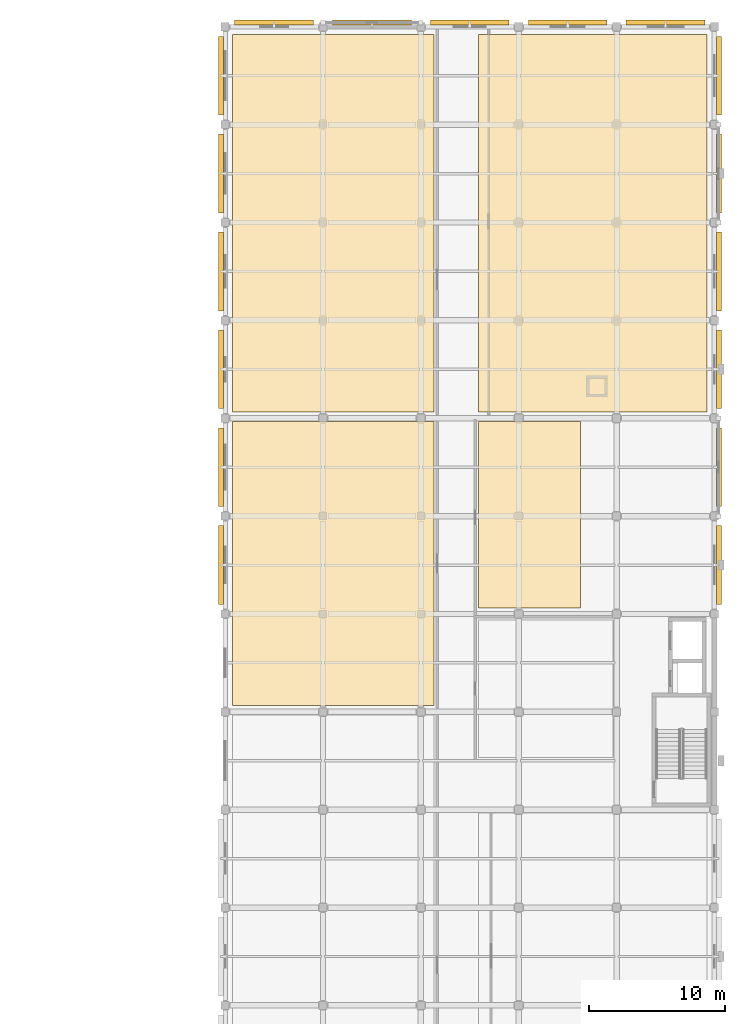
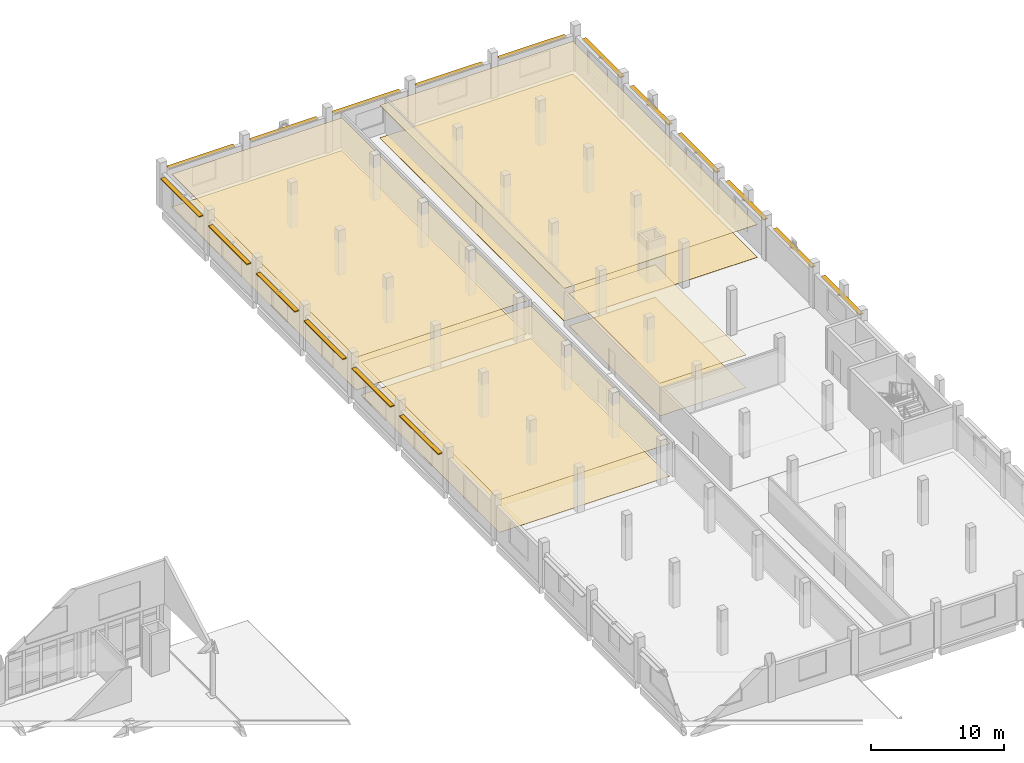
# One storey, part 62 of 62: 17 shading devices, 8 coverings.
"""IFC4 building model written with IfcOpenShell, lengths in metres."""

from ifc_helpers import new_model, si_unit, direction, frame, origin, origin_2d, place, context, subcontext, project, spatial, polyline, rectangle, outline, extrude, material, layer, layer_set, type_object, element, save


model = new_model("IFC4")

# Units and contexts
model_context = context("Model", 3, precision=1e-05, world=origin(), true_north=direction((0.0, 1.0)))
body_context = subcontext(model_context, "Body", "Model", "MODEL_VIEW")
ifc_project = project(units=[si_unit("LENGTHUNIT", "METRE"), si_unit("AREAUNIT", "SQUARE_METRE"), si_unit("VOLUMEUNIT", "CUBIC_METRE"), si_unit("PLANEANGLEUNIT", "RADIAN"), si_unit("MASSUNIT", "GRAM", prefix="KILO")], contexts=[model_context])

# Site, building, storey
site_placement = place(None, origin())
site = spatial("IfcSite", under=ifc_project, at=site_placement, CompositionType="ELEMENT")
building_placement = place(site_placement, origin())
building = spatial("IfcBuilding", under=site, at=building_placement, Name="Valkovuoma Quantum and Materials Research Institute", CompositionType="ELEMENT")
storey_placement = place(building_placement, frame((0.0, 0.0, 13.1201171875)))
storey = spatial("IfcBuildingStorey", under=building, at=storey_placement, Name="L03", CompositionType="ELEMENT", Elevation=13.1201171875)

# Coverings
ifc_material_1 = material(Name="Cleanable acoustic mineral-fibre suspended ceiling", Category="masonry")
ifc_layer_1 = layer(ifc_material_1, 0.02490234375)
ifc_layer_set_1 = layer_set([ifc_layer_1], Name="Cleanable acoustic mineral-fibre suspended ceiling")
covering_type_1 = type_object("IfcCoveringType", Name="Cov-CEIL-01", PredefinedType="CEILING", material=ifc_layer_set_1)
covering_1_placement = place(storey_placement, frame((0.0, 0.0, 3.0)))
element("IfcCovering", 1, at=covering_1_placement, inside=storey, type_object=covering_type_1, Name="L03 acoustic ceiling 0098", PredefinedType="CEILING", context=body_context, shape_type="SweptSolid", body=[
    extrude(outline(polyline([(130.14990234375, 65.25), (144.949951171875, 65.25), (144.949951171875, 86.14990234375), (130.14990234375, 86.14990234375), (130.14990234375, 65.25)])), origin(), (0.0, 0.0, 1.0), 0.02490234375),
])
covering_2_placement = place(storey_placement, frame((0.0, 0.0, 3.0)))
element("IfcCovering", 2, at=covering_2_placement, inside=storey, type_object=covering_type_1, Name="L03 acoustic ceiling 0099", PredefinedType="CEILING", context=body_context, shape_type="SweptSolid", body=[
    extrude(outline(polyline([(130.14990234375, 86.85009765625), (144.949951171875, 86.85009765625), (144.949951171875, 114.64990234375), (130.14990234375, 114.64990234375), (130.14990234375, 86.85009765625)])), origin(), (0.0, 0.0, 1.0), 0.02490234375),
])
covering_3_placement = place(storey_placement, frame((0.0, 0.0, 3.0)))
element("IfcCovering", 3, at=covering_3_placement, inside=storey, type_object=covering_type_1, Name="L03 acoustic ceiling 0102", PredefinedType="CEILING", context=body_context, shape_type="SweptSolid", body=[
    extrude(outline(polyline([(148.25, 72.449951171875), (155.75, 72.449951171875), (155.75, 86.14990234375), (148.25, 86.14990234375), (148.25, 72.449951171875)])), origin(), (0.0, 0.0, 1.0), 0.02490234375),
])
covering_4_placement = place(storey_placement, frame((0.0, 0.0, 3.0)))
element("IfcCovering", 4, at=covering_4_placement, inside=storey, type_object=covering_type_1, Name="L03 acoustic ceiling 0103", PredefinedType="CEILING", context=body_context, shape_type="SweptSolid", body=[
    extrude(outline(polyline([(148.25, 86.85009765625), (165.050048828125, 86.85009765625), (165.050048828125, 114.64990234375), (148.25, 114.64990234375), (148.25, 86.85009765625)])), origin(), (0.0, 0.0, 1.0), 0.02490234375),
])
ifc_material_2 = material(Name="Seamless dissipative laboratory resin flooring", Category="masonry")
ifc_layer_2 = layer(ifc_material_2, 0.014892578125)
ifc_layer_set_2 = layer_set([ifc_layer_2], Name="Seamless dissipative laboratory resin flooring")
covering_type_2 = type_object("IfcCoveringType", Name="Cov-FLOR-01", PredefinedType="FLOORING", material=ifc_layer_set_2)
covering_5_placement = place(storey_placement, origin())
element("IfcCovering", 5, at=covering_5_placement, inside=storey, type_object=covering_type_2, Name="L03 resin flooring 0098", PredefinedType="FLOORING", context=body_context, shape_type="SweptSolid", body=[
    extrude(outline(polyline([(130.14990234375, 65.25), (144.949951171875, 65.25), (144.949951171875, 86.14990234375), (130.14990234375, 86.14990234375), (130.14990234375, 65.25)])), origin(), (0.0, 0.0, 1.0), 0.014892578125),
])
covering_6_placement = place(storey_placement, origin())
element("IfcCovering", 6, at=covering_6_placement, inside=storey, type_object=covering_type_2, Name="L03 resin flooring 0099", PredefinedType="FLOORING", context=body_context, shape_type="SweptSolid", body=[
    extrude(outline(polyline([(130.14990234375, 86.85009765625), (144.949951171875, 86.85009765625), (144.949951171875, 114.64990234375), (130.14990234375, 114.64990234375), (130.14990234375, 86.85009765625)])), origin(), (0.0, 0.0, 1.0), 0.014892578125),
])
covering_7_placement = place(storey_placement, origin())
element("IfcCovering", 7, at=covering_7_placement, inside=storey, type_object=covering_type_2, Name="L03 resin flooring 0102", PredefinedType="FLOORING", context=body_context, shape_type="SweptSolid", body=[
    extrude(outline(polyline([(148.25, 72.449951171875), (155.75, 72.449951171875), (155.75, 86.14990234375), (148.25, 86.14990234375), (148.25, 72.449951171875)])), origin(), (0.0, 0.0, 1.0), 0.014892578125),
])
covering_8_placement = place(storey_placement, origin())
element("IfcCovering", 8, at=covering_8_placement, inside=storey, type_object=covering_type_2, Name="L03 resin flooring 0103", PredefinedType="FLOORING", context=body_context, shape_type="SweptSolid", body=[
    extrude(outline(polyline([(148.25, 86.85009765625), (165.050048828125, 86.85009765625), (165.050048828125, 114.64990234375), (148.25, 114.64990234375), (148.25, 86.85009765625)])), origin(), (0.0, 0.0, 1.0), 0.014892578125),
])

# Shading devices
ifc_material_3 = material(Name="Powder-coated white perforated architectural aluminium panel", Category="aluminium")
ifc_layer_3 = layer(ifc_material_3, 0.050048828125)
ifc_layer_set_3 = layer_set([ifc_layer_3], Name="Powder-coated white perforated architectural aluminium panel")
shading_device_type_1 = type_object("IfcShadingDeviceType", Name="Screen-SCR-DENSE", PredefinedType="JALOUSIE", material=ifc_layer_set_3)
for number, where, z_axis, x_axis, name in (
    (9, (165.919921875, 90.0, 3.009765625), (0.0, 0.0, 1.0), (1.0, 0.0, 0.0), "L03 wet-lab solar sunshade E-0057"),
    (10, (129.280029296875, 90.0, 3.009765625), (0.0, 0.0, 1.0), (1.0, 0.0, 0.0), "L03 wet-lab solar sunshade W-0058"),
    (11, (165.919921875, 111.60009765625, 3.009765625), (0.0, 0.0, 1.0), (1.0, 0.0, 0.0), "L03 wet-lab solar sunshade E-0063"),
    (12, (129.280029296875, 111.60009765625, 3.009765625), (0.0, 0.0, 1.0), (1.0, 0.0, 0.0), "L03 wet-lab solar sunshade W-0064"),
):
    element("IfcShadingDevice", number, at=place(storey_placement, frame(where, z_axis=z_axis, x_axis=x_axis)), inside=storey, type_object=shading_device_type_1, Name=name, PredefinedType="JALOUSIE", context=body_context, shape_type="SweptSolid", body=[
        extrude(rectangle(XDim=0.360107421875, YDim=5.800048828125, at=origin_2d()), origin(), (0.0, 0.0, 1.0), 0.080078125),
    ])
for number, where, z_axis, x_axis, name in (
    (13, (133.199951171875, 115.52001953125, 3.009765625), (0.0, 0.0, 1.0), (1.0, 0.0, 0.0), "L03 wet-lab north sunshade 0065"),
    (14, (154.800048828125, 115.52001953125, 3.009765625), (0.0, 0.0, 1.0), (1.0, 0.0, 0.0), "L03 wet-lab north sunshade 0068"),
):
    element("IfcShadingDevice", number, at=place(storey_placement, frame(where, z_axis=z_axis, x_axis=x_axis)), inside=storey, type_object=shading_device_type_1, Name=name, PredefinedType="JALOUSIE", context=body_context, shape_type="SweptSolid", body=[
        extrude(rectangle(XDim=5.800048828125, YDim=0.360107421875, at=origin_2d()), origin(), (0.0, 0.0, 1.0), 0.080078125),
    ])
ifc_material_4 = material(Name="Powder-coated white perforated architectural aluminium panel", Category="aluminium")
ifc_layer_4 = layer(ifc_material_4, 0.050048828125)
ifc_layer_set_4 = layer_set([ifc_layer_4], Name="Powder-coated white perforated architectural aluminium panel")
shading_device_type_2 = type_object("IfcShadingDeviceType", Name="Screen-SCR-MID", PredefinedType="JALOUSIE", material=ifc_layer_set_4)
for number, where, z_axis, x_axis, name in (
    (15, (165.919921875, 75.60009765625, 3.009765625), (0.0, 0.0, 1.0), (1.0, 0.0, 0.0), "L03 wet-lab solar sunshade E-0053"),
    (16, (129.280029296875, 75.60009765625, 3.009765625), (0.0, 0.0, 1.0), (1.0, 0.0, 0.0), "L03 wet-lab solar sunshade W-0054"),
    (17, (165.919921875, 97.199951171875, 3.009765625), (0.0, 0.0, 1.0), (1.0, 0.0, 0.0), "L03 wet-lab solar sunshade E-0059"),
    (18, (129.280029296875, 97.199951171875, 3.009765625), (0.0, 0.0, 1.0), (1.0, 0.0, 0.0), "L03 wet-lab solar sunshade W-0060"),
):
    element("IfcShadingDevice", number, at=place(storey_placement, frame(where, z_axis=z_axis, x_axis=x_axis)), inside=storey, type_object=shading_device_type_2, Name=name, PredefinedType="JALOUSIE", context=body_context, shape_type="SweptSolid", body=[
        extrude(rectangle(XDim=0.360107421875, YDim=5.800048828125, at=origin_2d()), origin(), (0.0, 0.0, 1.0), 0.080078125),
    ])
for number, where, z_axis, x_axis, name in (
    (19, (140.39990234375, 115.52001953125, 3.009765625), (0.0, 0.0, 1.0), (1.0, 0.0, 0.0), "L03 wet-lab north sunshade 0066"),
    (20, (162.0, 115.52001953125, 3.009765625), (0.0, 0.0, 1.0), (1.0, 0.0, 0.0), "L03 wet-lab north sunshade 0069"),
):
    element("IfcShadingDevice", number, at=place(storey_placement, frame(where, z_axis=z_axis, x_axis=x_axis)), inside=storey, type_object=shading_device_type_2, Name=name, PredefinedType="JALOUSIE", context=body_context, shape_type="SweptSolid", body=[
        extrude(rectangle(XDim=5.800048828125, YDim=0.360107421875, at=origin_2d()), origin(), (0.0, 0.0, 1.0), 0.080078125),
    ])
ifc_material_5 = material(Name="Powder-coated white perforated architectural aluminium panel", Category="aluminium")
ifc_layer_5 = layer(ifc_material_5, 0.050048828125)
ifc_layer_set_5 = layer_set([ifc_layer_5], Name="Powder-coated white perforated architectural aluminium panel")
shading_device_type_3 = type_object("IfcShadingDeviceType", Name="Screen-SCR-SPARSE", PredefinedType="JALOUSIE", material=ifc_layer_set_5)
for number, where, z_axis, x_axis, name in (
    (21, (165.919921875, 82.800048828125, 3.009765625), (0.0, 0.0, 1.0), (1.0, 0.0, 0.0), "L03 wet-lab solar sunshade E-0055"),
    (22, (129.280029296875, 82.800048828125, 3.009765625), (0.0, 0.0, 1.0), (1.0, 0.0, 0.0), "L03 wet-lab solar sunshade W-0056"),
    (23, (165.919921875, 104.39990234375, 3.009765625), (0.0, 0.0, 1.0), (1.0, 0.0, 0.0), "L03 wet-lab solar sunshade E-0061"),
    (24, (129.280029296875, 104.39990234375, 3.009765625), (0.0, 0.0, 1.0), (1.0, 0.0, 0.0), "L03 wet-lab solar sunshade W-0062"),
):
    element("IfcShadingDevice", number, at=place(storey_placement, frame(where, z_axis=z_axis, x_axis=x_axis)), inside=storey, type_object=shading_device_type_3, Name=name, PredefinedType="JALOUSIE", context=body_context, shape_type="SweptSolid", body=[
        extrude(rectangle(XDim=0.360107421875, YDim=5.800048828125, at=origin_2d()), origin(), (0.0, 0.0, 1.0), 0.080078125),
    ])
shading_device_placement = place(storey_placement, frame((147.60009765625, 115.52001953125, 3.009765625), z_axis=(0.0, 0.0, 1.0), x_axis=(1.0, 0.0, 0.0)))
element("IfcShadingDevice", 25, at=shading_device_placement, inside=storey, type_object=shading_device_type_3, Name="L03 wet-lab north sunshade 0067", PredefinedType="JALOUSIE", context=body_context, shape_type="SweptSolid", body=[
    extrude(rectangle(XDim=5.800048828125, YDim=0.360107421875, at=origin_2d()), origin(), (0.0, 0.0, 1.0), 0.080078125),
])

save(model, "model.ifc")
